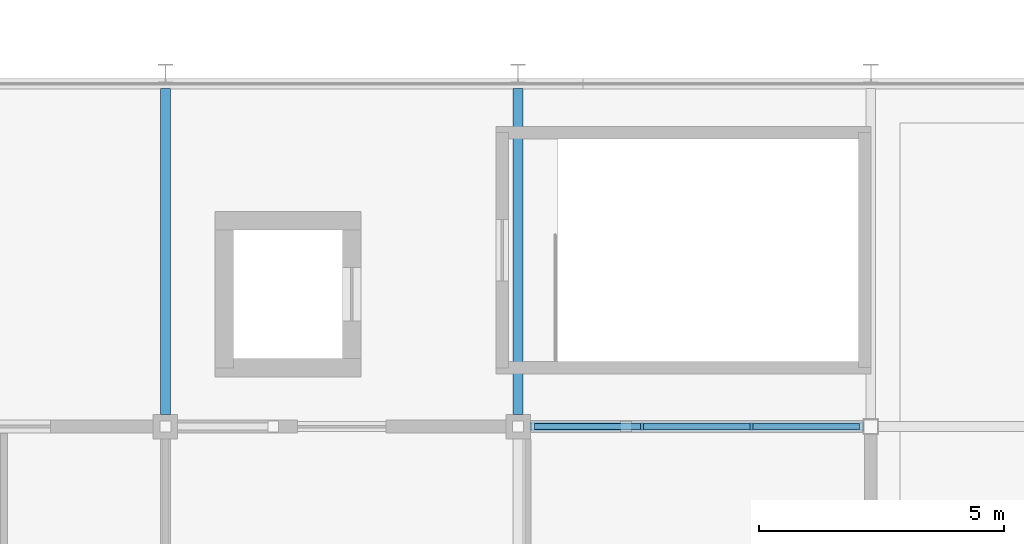
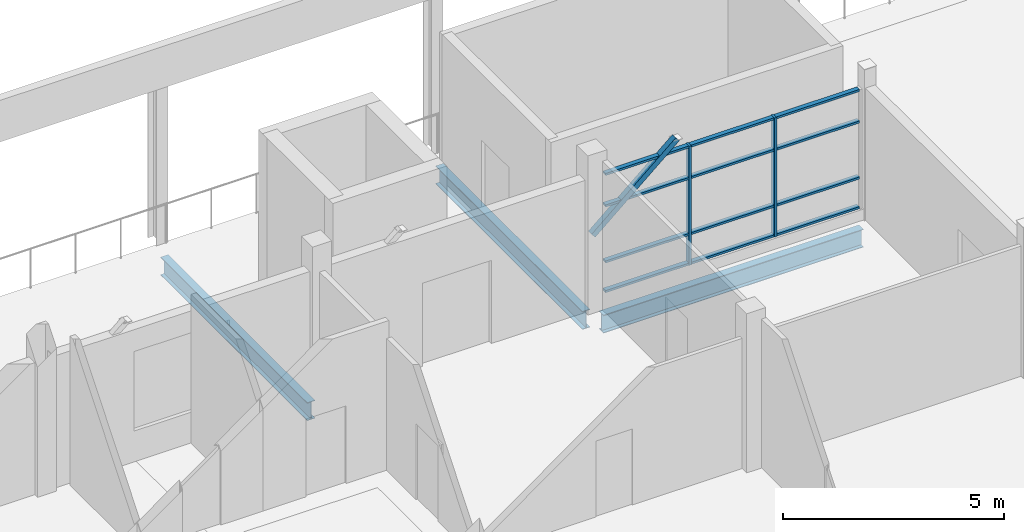
# One storey, part 12 of 32: 15 members, 3 beams, 1 element without a shape of its own.
"""IFC4 building model written with IfcOpenShell, lengths in metres."""

from ifc_helpers import new_model, si_unit, direction, frame, origin, origin_2d, place, context, subcontext, project, spatial, rectangle, hollow_rectangle, i_section, extrude, material, material_profile, profile_set, type_object, element, aggregate, save


model = new_model("IFC4")

# Units and contexts
model_context = context("Model", 3, precision=1e-05, world=origin(), true_north=direction((0.0, 1.0)))
body_context = subcontext(model_context, "Body", "Model", "MODEL_VIEW")
ifc_project = project(units=[si_unit("LENGTHUNIT", "METRE"), si_unit("AREAUNIT", "SQUARE_METRE"), si_unit("VOLUMEUNIT", "CUBIC_METRE"), si_unit("PLANEANGLEUNIT", "RADIAN"), si_unit("MASSUNIT", "GRAM", prefix="KILO")], contexts=[model_context])

# Site, building, storey
site_placement = place(None, origin())
site = spatial("IfcSite", under=ifc_project, at=site_placement, CompositionType="ELEMENT")
building_placement = place(site_placement, origin())
building = spatial("IfcBuilding", under=site, at=building_placement, Name="Sardonyx Promenade Sports Hall", CompositionType="ELEMENT")
storey_placement = place(building_placement, frame((0.0, 0.0, 20.39990234375)))
storey = spatial("IfcBuildingStorey", under=building, at=storey_placement, Name="L04", CompositionType="ELEMENT", Elevation=20.39990234375)

# Beams
ifc_material_1 = material(Name="Steel S355JR", Category="steel")
ifc_material_profile_1 = material_profile(ifc_material_1, i_section(OverallWidth=0.199951171875, OverallDepth=0.5, WebThickness=0.01025390625, FlangeThickness=0.01611328125, at=origin_2d()))
ifc_profile_set_1 = profile_set([ifc_material_profile_1], Name="Steel S355JR")
beam_type = type_object("IfcBeamType", Name="Bm_Primary_IPE500", PredefinedType="BEAM", material=ifc_profile_set_1)
beam_placement = place(storey_placement, frame((57.85009765625, 21.60009765625, -0.52001953125), z_axis=(1.0, 0.0, 0.0), x_axis=(0.0, 1.0, 0.0)))
element("IfcBeam", 1, at=beam_placement, inside=storey, type_object=beam_type, Name="Beam SB06 L04 #989", PredefinedType="BEAM", context=body_context, shape_type="SweptSolid", body=[
    extrude(i_section(OverallWidth=0.199951171875, OverallDepth=0.5, WebThickness=0.01025390625, FlangeThickness=0.01611328125, at=origin_2d()), origin(), (0.0, 0.0, 1.0), 6.7998046875),
])
for number, where, z_axis, x_axis, name in (
    (2, (50.39990234375, 21.85009765625, -0.510009765625), (0.0, 1.0, 0.0), (-1.0, 0.0, 0.0), "Beam SB06 L04 #1059"),
    (3, (57.60009765625, 21.85009765625, -0.510009765625), (0.0, 1.0, 0.0), (-1.0, 0.0, 0.0), "Beam SB06 L04 #1063"),
):
    element("IfcBeam", number, at=place(storey_placement, frame(where, z_axis=z_axis, x_axis=x_axis)), inside=storey, type_object=beam_type, Name=name, PredefinedType="BEAM", context=body_context, shape_type="SweptSolid", body=[
        extrude(i_section(OverallWidth=0.199951171875, OverallDepth=0.5, WebThickness=0.01025390625, FlangeThickness=0.01611328125, at=origin_2d()), origin(), (0.0, 0.0, 1.0), 6.64990234375),
    ])

# Curtain wall, members
ifc_material_2 = material(Name="Aluminium 6063-T6", Category="aluminium")
curtain_wall_type = type_object("IfcCurtainWallType", Name="CW_Pavilion_L04_640", PredefinedType="USERDEFINED", material=ifc_material_2)
curtain_wall_placement = place(storey_placement, origin())
curtain_wall = element("IfcCurtainWall", 4, at=curtain_wall_placement, inside=storey, type_object=curtain_wall_type, Name="Curtain wall CW10 cw:L04:170", ObjectType="CURTAIN WALL", PredefinedType="USERDEFINED")
ifc_material_3 = material(Name="Aluminium 6063-T6", Category="aluminium")
ifc_material_profile_2 = material_profile(ifc_material_3, rectangle(XDim=0.06005859375, YDim=0.14990234375, at=origin_2d()))
ifc_profile_set_2 = profile_set([ifc_material_profile_2], Name="Aluminium 6063-T6")
member_type_1 = type_object("IfcMemberType", Name="CW_Mull_150", PredefinedType="MULLION", material=ifc_profile_set_2)
member_1_placement = place(storey_placement, frame((60.13330078125, 21.60009765625, 0.300048828125), z_axis=(0.0, 0.0, 1.0), x_axis=(1.0, 0.0, 0.0)))
member_1 = element("IfcMember", 5, at=member_1_placement, type_object=member_type_1, Name="Mullion CM01 cw:L04:170 #2", PredefinedType="MULLION", context=body_context, shape_type="SweptSolid", body=[
    extrude(rectangle(XDim=0.06005859375, YDim=0.14990234375, at=origin_2d()), origin(), (0.0, 0.0, 1.0), 3.300048828125),
])
member_2_placement = place(storey_placement, frame((62.36669921875, 21.60009765625, 0.300048828125), z_axis=(0.0, 0.0, 1.0), x_axis=(1.0, 0.0, 0.0)))
member_2 = element("IfcMember", 6, at=member_2_placement, type_object=member_type_1, Name="Mullion CM01 cw:L04:170 #3", PredefinedType="MULLION", context=body_context, shape_type="SweptSolid", body=[
    extrude(rectangle(XDim=0.06005859375, YDim=0.14990234375, at=origin_2d()), origin(), (0.0, 0.0, 1.0), 3.300048828125),
])
ifc_material_4 = material(Name="Aluminium 6063-T6", Category="aluminium")
ifc_material_profile_3 = material_profile(ifc_material_4, rectangle(XDim=0.06005859375, YDim=0.1201171875, at=origin_2d()))
ifc_profile_set_3 = profile_set([ifc_material_profile_3], Name="Aluminium 6063-T6")
member_type_2 = type_object("IfcMemberType", Name="CW_Tran_120", PredefinedType="USERDEFINED", material=ifc_profile_set_3)
member_3_placement = place(storey_placement, frame((57.929931640625, 21.60009765625, 0.330078125), z_axis=(1.0, 0.0, 0.0), x_axis=(0.0, 0.0, 1.0)))
member_3 = element("IfcMember", 7, at=member_3_placement, type_object=member_type_2, Name="Transom CT01 cw:L04:170 #1", ObjectType="TRANSOM", PredefinedType="USERDEFINED", context=body_context, shape_type="SweptSolid", body=[
    extrude(rectangle(XDim=0.06005859375, YDim=0.1201171875, at=origin_2d()), origin(), (0.0, 0.0, 1.0), 2.17333984375),
])
member_4_placement = place(storey_placement, frame((57.929931640625, 21.60009765625, 1.150146484375), z_axis=(1.0, 0.0, 0.0), x_axis=(0.0, 0.0, 1.0)))
member_4 = element("IfcMember", 8, at=member_4_placement, type_object=member_type_2, Name="Transom CT01 cw:L04:170 #2", ObjectType="TRANSOM", PredefinedType="USERDEFINED", context=body_context, shape_type="SweptSolid", body=[
    extrude(rectangle(XDim=0.06005859375, YDim=0.1201171875, at=origin_2d()), origin(), (0.0, 0.0, 1.0), 2.17333984375),
])
member_5_placement = place(storey_placement, frame((57.929931640625, 21.60009765625, 2.7001953125), z_axis=(1.0, 0.0, 0.0), x_axis=(0.0, 0.0, 1.0)))
member_5 = element("IfcMember", 9, at=member_5_placement, type_object=member_type_2, Name="Transom CT01 cw:L04:170 #3", ObjectType="TRANSOM", PredefinedType="USERDEFINED", context=body_context, shape_type="SweptSolid", body=[
    extrude(rectangle(XDim=0.06005859375, YDim=0.1201171875, at=origin_2d()), origin(), (0.0, 0.0, 1.0), 2.17333984375),
])
member_6_placement = place(storey_placement, frame((57.929931640625, 21.60009765625, 3.570068359375), z_axis=(1.0, 0.0, 0.0), x_axis=(0.0, 0.0, 1.0)))
member_6 = element("IfcMember", 10, at=member_6_placement, type_object=member_type_2, Name="Transom CT01 cw:L04:170 #4", ObjectType="TRANSOM", PredefinedType="USERDEFINED", context=body_context, shape_type="SweptSolid", body=[
    extrude(rectangle(XDim=0.06005859375, YDim=0.1201171875, at=origin_2d()), origin(), (0.0, 0.0, 1.0), 2.17333984375),
])
member_7_placement = place(storey_placement, frame((60.163330078125, 21.60009765625, 0.330078125), z_axis=(1.0, 0.0, 0.0), x_axis=(0.0, 0.0, 1.0)))
member_7 = element("IfcMember", 11, at=member_7_placement, type_object=member_type_2, Name="Transom CT01 cw:L04:170 #5", ObjectType="TRANSOM", PredefinedType="USERDEFINED", context=body_context, shape_type="SweptSolid", body=[
    extrude(rectangle(XDim=0.06005859375, YDim=0.1201171875, at=origin_2d()), origin(), (0.0, 0.0, 1.0), 2.17333984375),
])
member_8_placement = place(storey_placement, frame((60.163330078125, 21.60009765625, 1.150146484375), z_axis=(1.0, 0.0, 0.0), x_axis=(0.0, 0.0, 1.0)))
member_8 = element("IfcMember", 12, at=member_8_placement, type_object=member_type_2, Name="Transom CT01 cw:L04:170 #6", ObjectType="TRANSOM", PredefinedType="USERDEFINED", context=body_context, shape_type="SweptSolid", body=[
    extrude(rectangle(XDim=0.06005859375, YDim=0.1201171875, at=origin_2d()), origin(), (0.0, 0.0, 1.0), 2.17333984375),
])
member_9_placement = place(storey_placement, frame((60.163330078125, 21.60009765625, 2.7001953125), z_axis=(1.0, 0.0, 0.0), x_axis=(0.0, 0.0, 1.0)))
member_9 = element("IfcMember", 13, at=member_9_placement, type_object=member_type_2, Name="Transom CT01 cw:L04:170 #7", ObjectType="TRANSOM", PredefinedType="USERDEFINED", context=body_context, shape_type="SweptSolid", body=[
    extrude(rectangle(XDim=0.06005859375, YDim=0.1201171875, at=origin_2d()), origin(), (0.0, 0.0, 1.0), 2.17333984375),
])
member_10_placement = place(storey_placement, frame((60.163330078125, 21.60009765625, 3.570068359375), z_axis=(1.0, 0.0, 0.0), x_axis=(0.0, 0.0, 1.0)))
member_10 = element("IfcMember", 14, at=member_10_placement, type_object=member_type_2, Name="Transom CT01 cw:L04:170 #8", ObjectType="TRANSOM", PredefinedType="USERDEFINED", context=body_context, shape_type="SweptSolid", body=[
    extrude(rectangle(XDim=0.06005859375, YDim=0.1201171875, at=origin_2d()), origin(), (0.0, 0.0, 1.0), 2.17333984375),
])
member_11_placement = place(storey_placement, frame((62.396728515625, 21.60009765625, 0.330078125), z_axis=(1.0, 0.0, 0.0), x_axis=(0.0, 0.0, 1.0)))
member_11 = element("IfcMember", 15, at=member_11_placement, type_object=member_type_2, Name="Transom CT01 cw:L04:170 #9", ObjectType="TRANSOM", PredefinedType="USERDEFINED", context=body_context, shape_type="SweptSolid", body=[
    extrude(rectangle(XDim=0.06005859375, YDim=0.1201171875, at=origin_2d()), origin(), (0.0, 0.0, 1.0), 2.17333984375),
])
member_12_placement = place(storey_placement, frame((62.396728515625, 21.60009765625, 1.150146484375), z_axis=(1.0, 0.0, 0.0), x_axis=(0.0, 0.0, 1.0)))
member_12 = element("IfcMember", 16, at=member_12_placement, type_object=member_type_2, Name="Transom CT01 cw:L04:170 #10", ObjectType="TRANSOM", PredefinedType="USERDEFINED", context=body_context, shape_type="SweptSolid", body=[
    extrude(rectangle(XDim=0.06005859375, YDim=0.1201171875, at=origin_2d()), origin(), (0.0, 0.0, 1.0), 2.17333984375),
])
member_13_placement = place(storey_placement, frame((62.396728515625, 21.60009765625, 2.7001953125), z_axis=(1.0, 0.0, 0.0), x_axis=(0.0, 0.0, 1.0)))
member_13 = element("IfcMember", 17, at=member_13_placement, type_object=member_type_2, Name="Transom CT01 cw:L04:170 #11", ObjectType="TRANSOM", PredefinedType="USERDEFINED", context=body_context, shape_type="SweptSolid", body=[
    extrude(rectangle(XDim=0.06005859375, YDim=0.1201171875, at=origin_2d()), origin(), (0.0, 0.0, 1.0), 2.17333984375),
])
member_14_placement = place(storey_placement, frame((62.396728515625, 21.60009765625, 3.570068359375), z_axis=(1.0, 0.0, 0.0), x_axis=(0.0, 0.0, 1.0)))
member_14 = element("IfcMember", 18, at=member_14_placement, type_object=member_type_2, Name="Transom CT01 cw:L04:170 #12", ObjectType="TRANSOM", PredefinedType="USERDEFINED", context=body_context, shape_type="SweptSolid", body=[
    extrude(rectangle(XDim=0.06005859375, YDim=0.1201171875, at=origin_2d()), origin(), (0.0, 0.0, 1.0), 2.17333984375),
])
aggregate(curtain_wall, [member_1, member_2, member_3, member_4, member_5, member_6, member_7, member_8, member_9, member_10, member_11, member_12, member_13, member_14])

# Member
ifc_material_5 = material(Name="Steel S355JR", Category="steel")
ifc_material_profile_4 = material_profile(ifc_material_5, hollow_rectangle(XDim=0.14990234375, YDim=0.14990234375, WallThickness=0.008056640625, at=origin_2d()))
ifc_profile_set_4 = profile_set([ifc_material_profile_4], Name="Steel S355JR")
member_type_3 = type_object("IfcMemberType", Name="Mbr_Strut_SHS150", PredefinedType="STRUT", material=ifc_profile_set_4)
member_15_placement = place(storey_placement, frame((57.60009765625, 21.60009765625, 2.0), z_axis=(0.756790903627, 0.0, 0.653657041718), x_axis=(0.0, 1.0, 0.0)))
element("IfcMember", 19, at=member_15_placement, inside=storey, type_object=member_type_3, Name="Pavilion roof knee-brace strut #27", PredefinedType="STRUT", context=body_context, shape_type="SweptSolid", body=[
    extrude(hollow_rectangle(XDim=0.14990234375, YDim=0.14990234375, WallThickness=0.008056640625, at=origin_2d()), origin(), (0.0, 0.0, 1.0), 2.906982421875),
])

save(model, "model.ifc")
